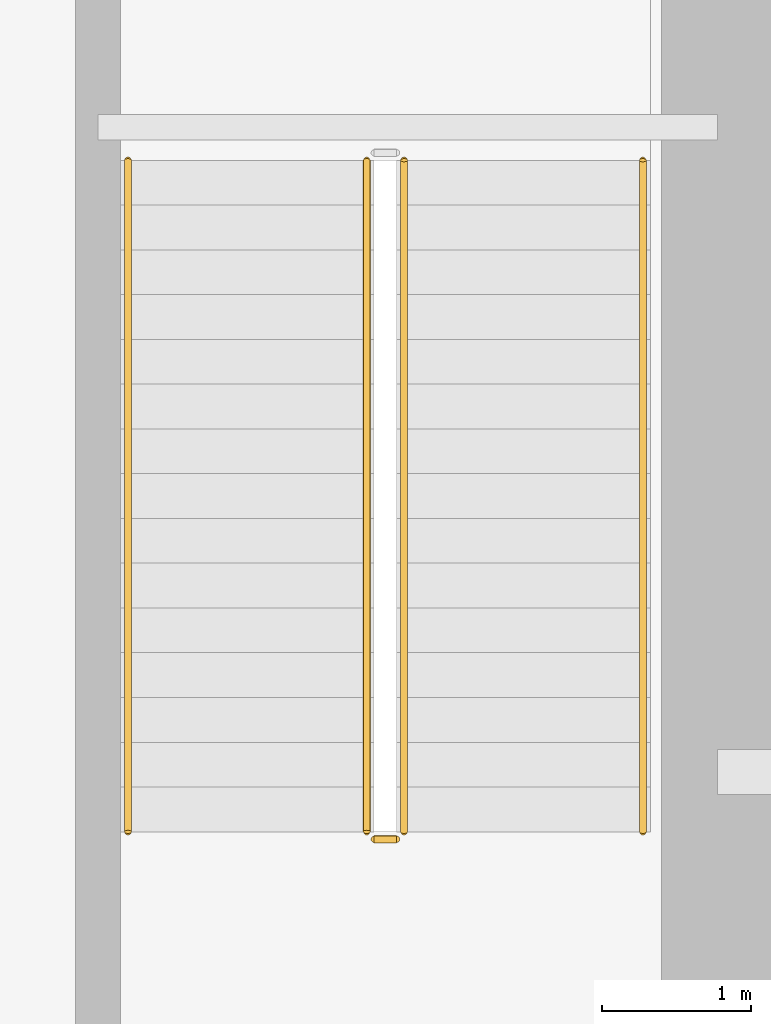
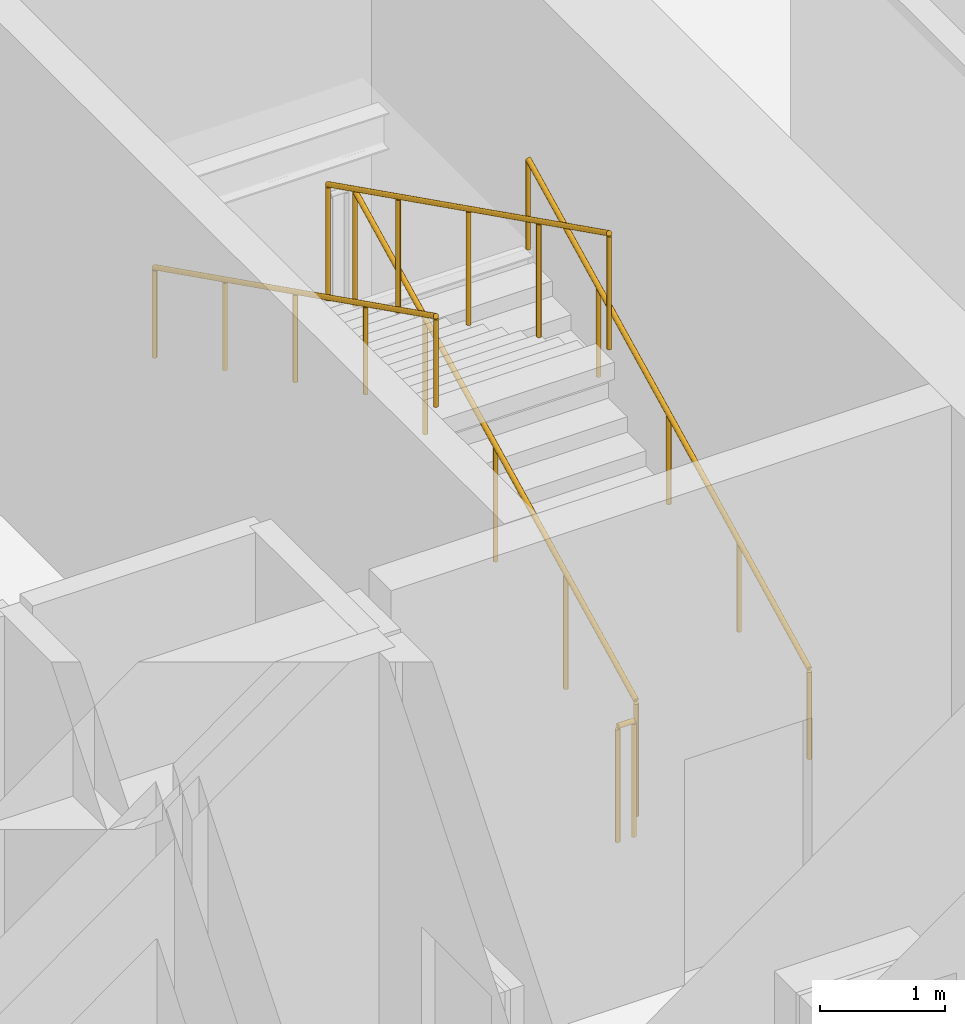
# One storey, part 8 of 12: 5 railings.
"""IFC4 building model written with IfcOpenShell, lengths in metres."""

from ifc_helpers import new_model, si_unit, direction, frame, origin, origin_2d, place, context, subcontext, project, spatial, circle, extrude, material, type_object, element, save


model = new_model("IFC4")

# Units and contexts
model_context = context("Model", 3, precision=1e-05, world=origin(), true_north=direction((0.0, 1.0)))
body_context = subcontext(model_context, "Body", "Model", "MODEL_VIEW")
ifc_project = project(units=[si_unit("LENGTHUNIT", "METRE"), si_unit("AREAUNIT", "SQUARE_METRE"), si_unit("VOLUMEUNIT", "CUBIC_METRE"), si_unit("PLANEANGLEUNIT", "RADIAN"), si_unit("MASSUNIT", "GRAM", prefix="KILO")], contexts=[model_context])

# Site, building, storey
site_placement = place(None, origin())
site = spatial("IfcSite", under=ifc_project, at=site_placement, CompositionType="ELEMENT")
building_placement = place(site_placement, origin())
building = spatial("IfcBuilding", under=site, at=building_placement, Name="Punatoya Terracotta Tower", CompositionType="ELEMENT")
storey_placement = place(building_placement, frame((0.0, 0.0, -4.800048828125)))
storey = spatial("IfcBuildingStorey", under=building, at=storey_placement, Name="B1", CompositionType="ELEMENT", Elevation=-4.800048828125)

# Railings
ifc_material = material(Name="Steel S355", Category="steel")
railing_type_1 = type_object("IfcRailingType", Name="RLG-GRD-1150", PredefinedType="GUARDRAIL", material=ifc_material)
railing_1_placement = place(storey_placement, frame((8.10009765625, -3.800048828125, 0.150146484375)))
element("IfcRailing", 1, at=railing_1_placement, inside=storey, type_object=railing_type_1, Name="B1 ST-2 stair guard 1", PredefinedType="GUARDRAIL", context=body_context, shape_type="SweptSolid", body=[
    extrude(circle(Radius=0.02392578125, at=origin_2d()), frame((0.0, 0.0, 1.1259765625), z_axis=(0.0, 0.894427191, 0.4472135955), x_axis=(-1.0, 0.0, 0.0)), (0.0, 0.0, 1.0), 5.03125),
    extrude(circle(Radius=0.02099609375, at=origin_2d()), origin(), (0.0, 0.0, 1.0), 1.101806640625),
    extrude(circle(Radius=0.02099609375, at=origin_2d()), frame((0.0, 1.125, 0.5625)), (0.0, 0.0, 1.0), 1.101806640625),
    extrude(circle(Radius=0.02099609375, at=origin_2d()), frame((0.0, 2.25, 1.125)), (0.0, 0.0, 1.0), 1.101806640625),
    extrude(circle(Radius=0.02099609375, at=origin_2d()), frame((0.0, 3.375, 1.6875)), (0.0, 0.0, 1.0), 1.101806640625),
    extrude(circle(Radius=0.02099609375, at=origin_2d()), frame((0.0, 4.5, 2.25)), (0.0, 0.0, 1.0), 1.101806640625),
])
railing_2_placement = place(storey_placement, frame((7.85009765625, 0.699951171875, 2.550048828125)))
element("IfcRailing", 2, at=railing_2_placement, inside=storey, type_object=railing_type_1, Name="B1 ST-2 stair guard 3", PredefinedType="GUARDRAIL", context=body_context, shape_type="SweptSolid", body=[
    extrude(circle(Radius=0.02392578125, at=origin_2d()), frame((0.0, 0.0, 1.1259765625), z_axis=(0.0, -0.894427191, 0.4472135955), x_axis=(1.0, 0.0, 0.0)), (0.0, 0.0, 1.0), 5.03125),
    extrude(circle(Radius=0.02099609375, at=origin_2d()), origin(), (0.0, 0.0, 1.0), 1.101806640625),
    extrude(circle(Radius=0.02099609375, at=origin_2d()), frame((0.0, -1.125, 0.5625)), (0.0, 0.0, 1.0), 1.101806640625),
    extrude(circle(Radius=0.02099609375, at=origin_2d()), frame((0.0, -2.25, 1.125)), (0.0, 0.0, 1.0), 1.101806640625),
    extrude(circle(Radius=0.02099609375, at=origin_2d()), frame((0.0, -3.375, 1.6875)), (0.0, 0.0, 1.0), 1.101806640625),
    extrude(circle(Radius=0.02099609375, at=origin_2d()), frame((0.0, -4.5, 2.25)), (0.0, 0.0, 1.0), 1.101806640625),
])
railing_3_placement = place(storey_placement, frame((8.050048828125, -3.85009765625, 0.0)))
element("IfcRailing", 3, at=railing_3_placement, inside=storey, type_object=railing_type_1, Name="B1 ST-2 stair guard 4", PredefinedType="GUARDRAIL", context=body_context, shape_type="SweptSolid", body=[
    extrude(circle(Radius=0.02392578125, at=origin_2d()), frame((0.0, 0.0, 1.1259765625), z_axis=(-1.0, 0.0, 0.0), x_axis=(0.0, -1.0, 0.0)), (0.0, 0.0, 1.0), 0.150146484375),
    extrude(circle(Radius=0.02099609375, at=origin_2d()), origin(), (0.0, 0.0, 1.0), 1.101806640625),
    extrude(circle(Radius=0.02099609375, at=origin_2d()), frame((-0.150146484375, 0.0, 0.0)), (0.0, 0.0, 1.0), 1.101806640625),
])
railing_type_2 = type_object("IfcRailingType", Name="RLG-HND-900", PredefinedType="HANDRAIL", material=ifc_material)
railing_4_placement = place(storey_placement, frame((9.699951171875, -3.800048828125, 0.150146484375)))
element("IfcRailing", 4, at=railing_4_placement, inside=storey, type_object=railing_type_2, Name="B1 ST-2 stair handrail 1", PredefinedType="HANDRAIL", context=body_context, shape_type="SweptSolid", body=[
    extrude(circle(Radius=0.02392578125, at=origin_2d()), frame((0.0, 0.0, 0.8759765625), z_axis=(0.0, 0.894427191, 0.4472135955), x_axis=(-1.0, 0.0, 0.0)), (0.0, 0.0, 1.0), 5.03125),
    extrude(circle(Radius=0.02099609375, at=origin_2d()), origin(), (0.0, 0.0, 1.0), 0.851806640625),
    extrude(circle(Radius=0.02099609375, at=origin_2d()), frame((0.0, 1.125, 0.5625)), (0.0, 0.0, 1.0), 0.851806640625),
    extrude(circle(Radius=0.02099609375, at=origin_2d()), frame((0.0, 2.25, 1.125)), (0.0, 0.0, 1.0), 0.851806640625),
    extrude(circle(Radius=0.02099609375, at=origin_2d()), frame((0.0, 3.375, 1.6875)), (0.0, 0.0, 1.0), 0.851806640625),
    extrude(circle(Radius=0.02099609375, at=origin_2d()), frame((0.0, 4.5, 2.25)), (0.0, 0.0, 1.0), 0.851806640625),
])
railing_5_placement = place(storey_placement, frame((6.25, 0.699951171875, 2.550048828125)))
element("IfcRailing", 5, at=railing_5_placement, inside=storey, type_object=railing_type_2, Name="B1 ST-2 stair handrail 2", PredefinedType="HANDRAIL", context=body_context, shape_type="SweptSolid", body=[
    extrude(circle(Radius=0.02392578125, at=origin_2d()), frame((0.0, 0.0, 0.8759765625), z_axis=(0.0, -0.894427191, 0.4472135955), x_axis=(1.0, 0.0, 0.0)), (0.0, 0.0, 1.0), 5.03125),
    extrude(circle(Radius=0.02099609375, at=origin_2d()), origin(), (0.0, 0.0, 1.0), 0.851806640625),
    extrude(circle(Radius=0.02099609375, at=origin_2d()), frame((0.0, -1.125, 0.5625)), (0.0, 0.0, 1.0), 0.851806640625),
    extrude(circle(Radius=0.02099609375, at=origin_2d()), frame((0.0, -2.25, 1.125)), (0.0, 0.0, 1.0), 0.851806640625),
    extrude(circle(Radius=0.02099609375, at=origin_2d()), frame((0.0, -3.375, 1.6875)), (0.0, 0.0, 1.0), 0.851806640625),
    extrude(circle(Radius=0.02099609375, at=origin_2d()), frame((0.0, -4.5, 2.25)), (0.0, 0.0, 1.0), 0.851806640625),
])

save(model, "model.ifc")
